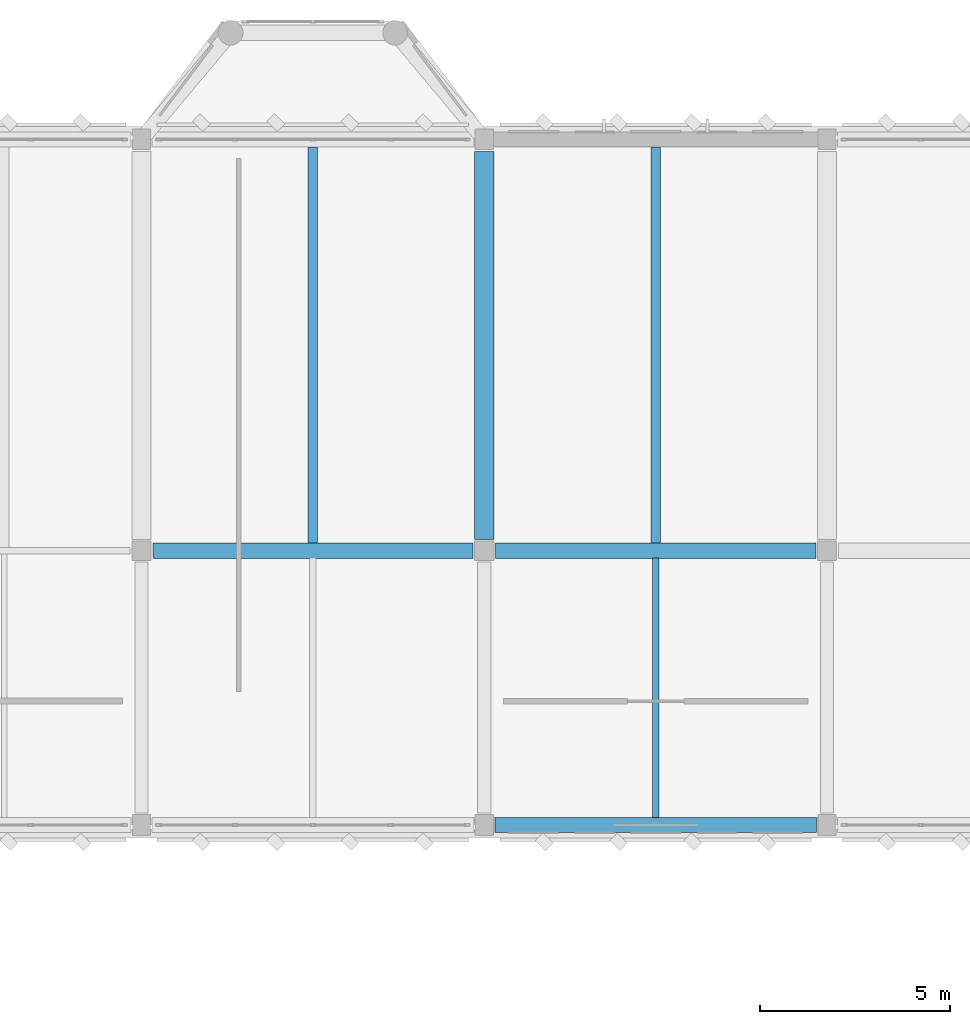
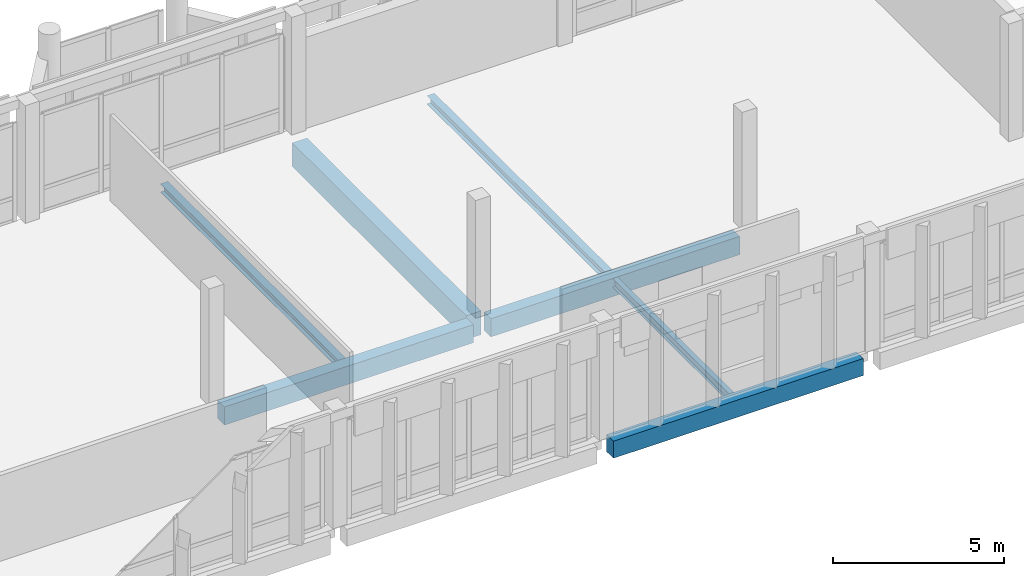
# One storey, part 36 of 72: 7 beams.
"""IFC4 building model written with IfcOpenShell, lengths in metres."""

from ifc_helpers import new_model, si_unit, direction, frame, origin, origin_2d, place, context, subcontext, project, spatial, rectangle, i_section, extrude, material, material_profile, profile_set, type_object, element, save


model = new_model("IFC4")

# Units and contexts
model_context = context("Model", 3, precision=1e-05, world=origin(), true_north=direction((0.0, 1.0)))
body_context = subcontext(model_context, "Body", "Model", "MODEL_VIEW")
ifc_project = project(units=[si_unit("LENGTHUNIT", "METRE"), si_unit("AREAUNIT", "SQUARE_METRE"), si_unit("VOLUMEUNIT", "CUBIC_METRE"), si_unit("PLANEANGLEUNIT", "RADIAN"), si_unit("MASSUNIT", "GRAM", prefix="KILO")], contexts=[model_context])

# Site, building, storey
site_placement = place(None, origin())
site = spatial("IfcSite", under=ifc_project, at=site_placement, CompositionType="ELEMENT")
building_placement = place(site_placement, origin())
building = spatial("IfcBuilding", under=site, at=building_placement, Name="Lusvemor Sports Hall", CompositionType="ELEMENT")
storey_placement = place(building_placement, frame((0.0, 0.0, 15.0)))
storey = spatial("IfcBuildingStorey", under=building, at=storey_placement, Name="L03", CompositionType="ELEMENT", Elevation=15.0)

# Beams
ifc_material_1 = material(Name="Concrete C40/50", Category="concrete")
ifc_material_profile_1 = material_profile(ifc_material_1, rectangle(XDim=0.39990234375, YDim=0.64990234375, at=origin_2d()), Name="RC400x650")
ifc_profile_set_1 = profile_set([ifc_material_profile_1], Name="Concrete C40/50")
beam_type_1 = type_object("IfcBeamType", Name="BEAM_RC_650", PredefinedType="BEAM", material=ifc_profile_set_1)
for number, where, z_axis, x_axis, name in (
    (1, (75.89599609375, 104.39990234375, -0.56494140625), (1.0, 0.0, 0.0), (0.0, 1.0, 0.0), "Beam L03 P:8-9"),
    (2, (84.89599609375, 104.39990234375, -0.56494140625), (1.0, 0.0, 0.0), (0.0, 1.0, 0.0), "Beam L03 P:9-10"),
):
    element("IfcBeam", number, at=place(storey_placement, frame(where, z_axis=z_axis, x_axis=x_axis)), inside=storey, type_object=beam_type_1, Name=name, PredefinedType="BEAM", context=body_context, shape_type="SweptSolid", body=[
        extrude(rectangle(XDim=0.39990234375, YDim=0.64990234375, at=origin_2d()), origin(), (0.0, 0.0, 1.0), 8.407958984375),
    ])
ifc_material_2 = material(Name="Concrete C40/50", Category="concrete")
ifc_material_profile_2 = material_profile(ifc_material_2, rectangle(XDim=0.5, YDim=0.85009765625, at=origin_2d()), Name="RC500x850")
ifc_profile_set_2 = profile_set([ifc_material_profile_2], Name="Concrete C40/50")
beam_type_2 = type_object("IfcBeamType", Name="GIRD_RC_850", PredefinedType="T_BEAM", material=ifc_profile_set_2)
beam_1_placement = place(storey_placement, frame((84.60009765625, 104.696044921875, -0.6650390625), z_axis=(0.0, 1.0, 0.0), x_axis=(-1.0, 0.0, 0.0)))
element("IfcBeam", 3, at=beam_1_placement, inside=storey, type_object=beam_type_2, Name="Beam L03 9:P-Q", PredefinedType="T_BEAM", context=body_context, shape_type="SweptSolid", body=[
    extrude(rectangle(XDim=0.5, YDim=0.85009765625, at=origin_2d()), origin(), (0.0, 0.0, 1.0), 10.18798828125),
])
ifc_material_3 = material(Name="Steel S355", Category="steel")
ifc_material_profile_3 = material_profile(ifc_material_3, i_section(OverallWidth=0.25390625, OverallDepth=0.305908203125, WebThickness=0.0087890625, FlangeThickness=0.0146484375, FilletRadius=0.014892578125, at=origin_2d()), Name="W310x79.0")
ifc_profile_set_3 = profile_set([ifc_material_profile_3], Name="Steel S355")
beam_type_3 = type_object("IfcBeamType", Name="JOIST_ST_310H", PredefinedType="JOIST", material=ifc_profile_set_3)
for number, where, z_axis, x_axis, name in (
    (4, (80.10009765625, 104.595947265625, -0.39697265625), (0.0, 1.0, 0.0), (-1.0, 0.0, 0.0), "Secondary Joist L03 8-9/P-Q #1"),
    (5, (89.10009765625, 104.595947265625, -0.39697265625), (0.0, 1.0, 0.0), (-1.0, 0.0, 0.0), "Secondary Joist L03 9-10/P-Q #1"),
):
    element("IfcBeam", number, at=place(storey_placement, frame(where, z_axis=z_axis, x_axis=x_axis)), inside=storey, type_object=beam_type_3, Name=name, PredefinedType="JOIST", context=body_context, shape_type="SweptSolid", body=[
        extrude(i_section(OverallWidth=0.25390625, OverallDepth=0.305908203125, WebThickness=0.0087890625, FlangeThickness=0.0146484375, FilletRadius=0.014892578125, at=origin_2d()), origin(), (0.0, 0.0, 1.0), 10.407958984375),
    ])
ifc_material_4 = material(Name="Steel S355", Category="steel")
ifc_material_profile_4 = material_profile(ifc_material_4, i_section(OverallWidth=0.1669921875, OverallDepth=0.31689453125, WebThickness=0.007568359375, FlangeThickness=0.01318359375, FilletRadius=0.014892578125, at=origin_2d()), Name="W310x52.0")
ifc_profile_set_4 = profile_set([ifc_material_profile_4], Name="Steel S355")
beam_type_4 = type_object("IfcBeamType", Name="JOIST_ST_310M", PredefinedType="JOIST", material=ifc_profile_set_4)
beam_2_placement = place(storey_placement, frame((89.10009765625, 97.39599609375, -0.402587890625), z_axis=(0.0, 1.0, 0.0), x_axis=(-1.0, 0.0, 0.0)))
element("IfcBeam", 6, at=beam_2_placement, inside=storey, type_object=beam_type_4, Name="Secondary Joist L03 9-10/N-P #1", PredefinedType="JOIST", context=body_context, shape_type="SweptSolid", body=[
    extrude(i_section(OverallWidth=0.1669921875, OverallDepth=0.31689453125, WebThickness=0.007568359375, FlangeThickness=0.01318359375, FilletRadius=0.014892578125, at=origin_2d()), origin(), (0.0, 0.0, 1.0), 6.80810546875),
])
ifc_material_5 = material(Name="Concrete C40/50", Category="concrete")
ifc_material_profile_5 = material_profile(ifc_material_5, rectangle(XDim=0.39990234375, YDim=0.610107421875, at=origin_2d()), Name="RC400x610")
ifc_profile_set_5 = profile_set([ifc_material_profile_5], Name="Concrete C40/50")
beam_type_5 = type_object("IfcBeamType", Name="SPAND_EXT_650", PredefinedType="SPANDREL", material=ifc_profile_set_5)
beam_3_placement = place(storey_placement, frame((84.8759765625, 97.199951171875, -0.544921875), z_axis=(1.0, 0.0, 0.0), x_axis=(0.0, 1.0, 0.0)))
element("IfcBeam", 7, at=beam_3_placement, inside=storey, type_object=beam_type_5, Name="Beam L03 N:9-10", PredefinedType="SPANDREL", context=body_context, shape_type="SweptSolid", body=[
    extrude(rectangle(XDim=0.39990234375, YDim=0.610107421875, at=origin_2d()), origin(), (0.0, 0.0, 1.0), 8.447998046875),
])

save(model, "model.ifc")
